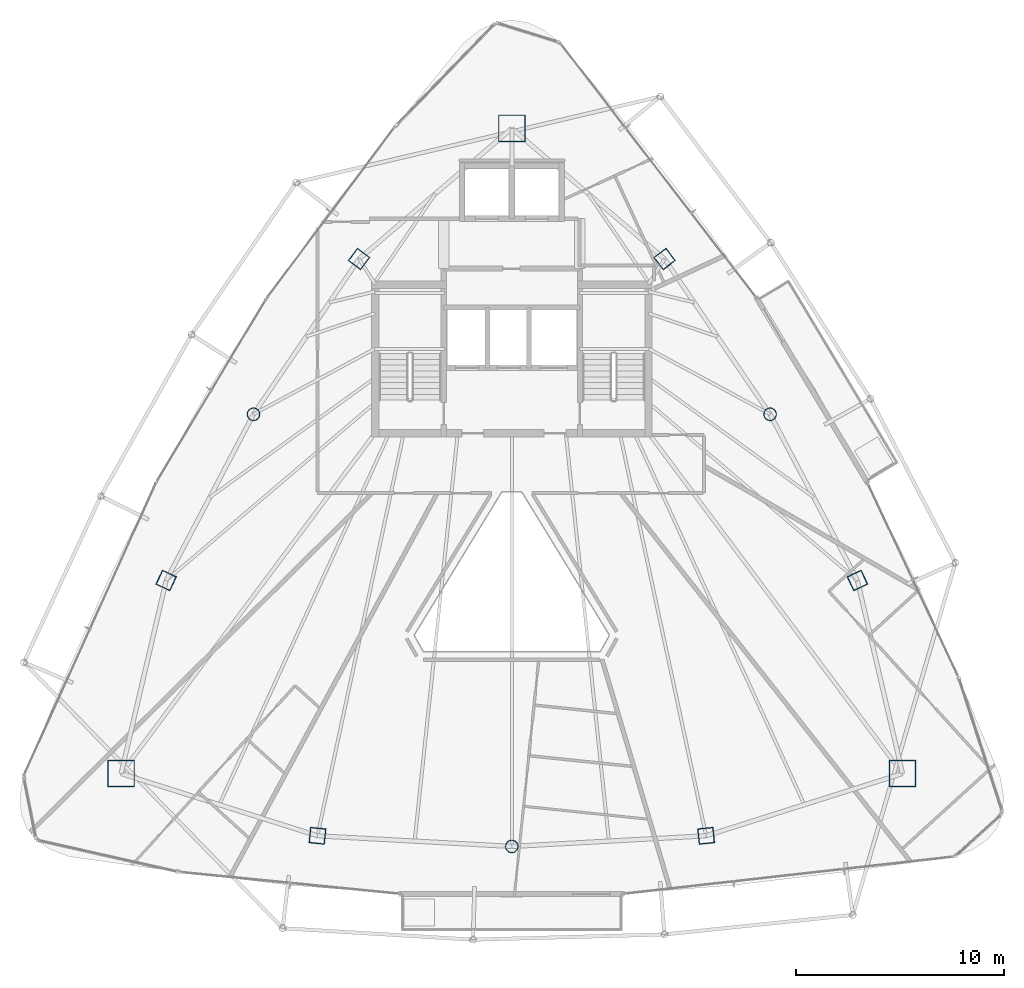
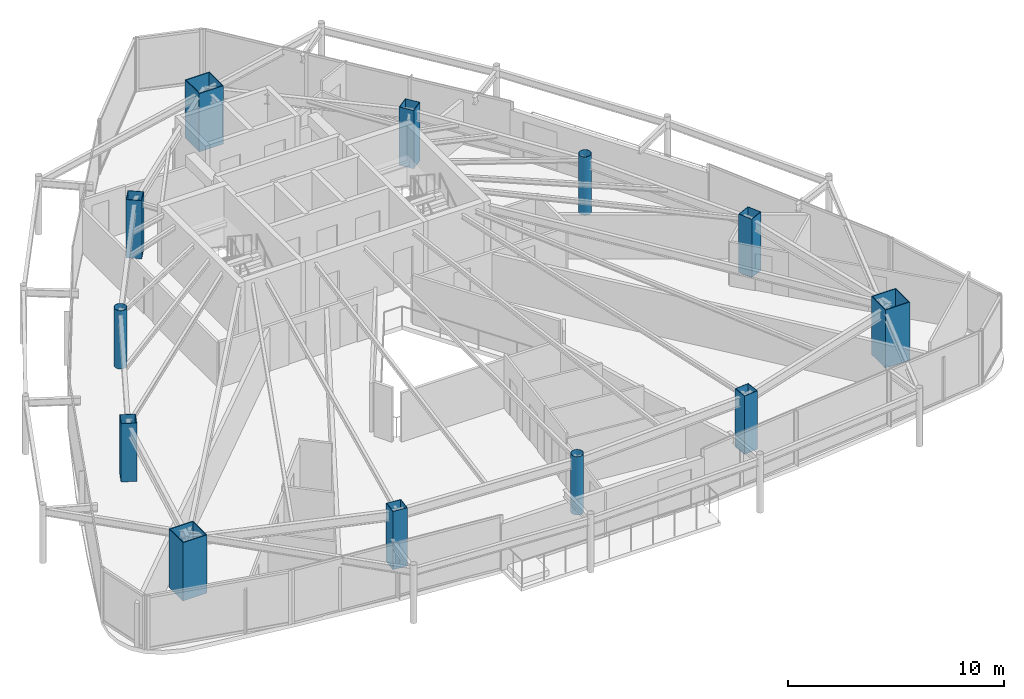
# One storey, part 1 of 33: 12 columns.
"""IFC4 building model written with IfcOpenShell, lengths in metres."""

from ifc_helpers import new_model, si_unit, direction, frame, origin, origin_2d, place, context, subcontext, project, spatial, hollow_rectangle, hollow_circle, extrude, material, material_profile, profile_set, type_object, element, save


model = new_model("IFC4")

# Units and contexts
model_context = context("Model", 3, precision=1e-05, world=origin(), true_north=direction((0.0, 1.0)))
body_context = subcontext(model_context, "Body", "Model", "MODEL_VIEW")
ifc_project = project(units=[si_unit("LENGTHUNIT", "METRE"), si_unit("AREAUNIT", "SQUARE_METRE"), si_unit("VOLUMEUNIT", "CUBIC_METRE"), si_unit("PLANEANGLEUNIT", "RADIAN"), si_unit("MASSUNIT", "GRAM", prefix="KILO")], contexts=[model_context])

# Site, building, storey
site_placement = place(None, origin())
site = spatial("IfcSite", under=ifc_project, at=site_placement, CompositionType="ELEMENT")
building_placement = place(site_placement, origin())
building = spatial("IfcBuilding", under=site, at=building_placement, Name="Orvanel Arch Residences", CompositionType="ELEMENT")
storey_placement = place(building_placement, frame((0.0, 0.0, 196.39990234375)))
storey = spatial("IfcBuildingStorey", under=building, at=storey_placement, Name="L55", CompositionType="ELEMENT", Elevation=196.39990234375)

# Columns
ifc_material_1 = material(Name="Structural steel AS/NZS 1163 C350L0 (Grade 350)", Category="steel")
ifc_material_profile_1 = material_profile(ifc_material_1, hollow_circle(Radius=0.304931640625, WallThickness=0.01611328125, at=origin_2d()), Name="CHS610x16")
ifc_profile_set_1 = profile_set([ifc_material_profile_1], Name="Structural steel AS/NZS 1163 C350L0 (Grade 350)")
column_type_1 = type_object("IfcColumnType", Name="CC-610", PredefinedType="COLUMN", material=ifc_profile_set_1)
for number, where, z_axis, x_axis, name in (
    (1, (20.569091796875, 27.64111328125, 0.0), (0.0, 0.0, 1.0), (1.0, 0.0, 0.0), "L55 High-Rise Tube Column 02"),
    (2, (33.0, 6.843994140625, 0.0), (0.0, 0.0, 1.0), (1.0, 0.0, 0.0), "L55 High-Rise Tube Column 05"),
    (3, (45.430908203125, 27.64111328125, 0.0), (0.0, 0.0, 1.0), (1.0, 0.0, 0.0), "L55 High-Rise Tube Column 08"),
):
    element("IfcColumn", number, at=place(storey_placement, frame(where, z_axis=z_axis, x_axis=x_axis)), inside=storey, type_object=column_type_1, Name=name, PredefinedType="COLUMN", context=body_context, shape_type="SweptSolid", body=[
        extrude(hollow_circle(Radius=0.304931640625, WallThickness=0.01611328125, at=origin_2d()), origin(), (0.0, 0.0, 1.0), 3.300048828125),
    ])
ifc_material_2 = material(Name="Structural steel AS/NZS 3678 Grade 450", Category="steel")
ifc_material_profile_2 = material_profile(ifc_material_2, hollow_rectangle(XDim=1.300048828125, YDim=1.300048828125, WallThickness=0.0400390625, at=origin_2d()), Name="BOX1300x1300x40")
ifc_profile_set_2 = profile_set([ifc_material_profile_2], Name="Structural steel AS/NZS 3678 Grade 450")
column_type_2 = type_object("IfcColumnType", Name="MC-1300", PredefinedType="COLUMN", material=ifc_profile_set_2)
for number, where, z_axis, x_axis, name in (
    (4, (33.0, 41.39794921875, 0.0), (0.0, 0.0, 1.0), (1.0, 0.0, 0.0), "L55 Corner Mega-Column 1"),
    (5, (14.198974609375, 10.35107421875, 0.0), (0.0, 0.0, 1.0), (1.0, 0.0, 0.0), "L55 Corner Mega-Column 2"),
    (6, (51.801025390625, 10.35107421875, 0.0), (0.0, 0.0, 1.0), (1.0, 0.0, 0.0), "L55 Corner Mega-Column 3"),
):
    element("IfcColumn", number, at=place(storey_placement, frame(where, z_axis=z_axis, x_axis=x_axis)), inside=storey, type_object=column_type_2, Name=name, PredefinedType="COLUMN", context=body_context, shape_type="SweptSolid", body=[
        extrude(hollow_rectangle(XDim=1.300048828125, YDim=1.300048828125, WallThickness=0.0400390625, at=origin_2d()), origin(), (0.0, 0.0, 1.0), 3.300048828125),
    ])
ifc_material_3 = material(Name="Structural steel AS/NZS 3678 Grade 350", Category="steel")
ifc_material_profile_3 = material_profile(ifc_material_3, hollow_rectangle(XDim=0.75, YDim=0.75, WallThickness=0.02490234375, at=origin_2d()), Name="BOX750x750x25")
ifc_profile_set_3 = profile_set([ifc_material_profile_3], Name="Structural steel AS/NZS 3678 Grade 350")
column_type_3 = type_object("IfcColumnType", Name="TC-750", PredefinedType="COLUMN", material=ifc_profile_set_3)
for number, where, z_axis, x_axis, name in (
    (7, (25.64794921875, 35.113037109375, 0.0), (0.0, 0.0, 1.0), (0.600420225326, 0.799684658487, 0.0), "L55 High-Rise Tube Column 01"),
    (8, (16.366943359375, 19.64208984375, 0.0), (0.0, 0.0, 1.0), (0.422618261741, 0.906307787037, 0.0), "L55 High-Rise Tube Column 03"),
    (9, (23.64892578125, 7.35498046875, 0.0), (0.0, 0.0, 1.0), (-0.994880708829, 0.101056297183, 0.0), "L55 High-Rise Tube Column 04"),
    (10, (42.35107421875, 7.35498046875, 0.0), (0.0, 0.0, 1.0), (0.994880708829, 0.101056297183, 0.0), "L55 High-Rise Tube Column 06"),
    (11, (49.633056640625, 19.64208984375, 0.0), (0.0, 0.0, 1.0), (-0.422618261741, 0.906307787037, 0.0), "L55 High-Rise Tube Column 07"),
    (12, (40.35205078125, 35.113037109375, 0.0), (0.0, 0.0, 1.0), (-0.600420225326, 0.799684658487, 0.0), "L55 High-Rise Tube Column 09"),
):
    element("IfcColumn", number, at=place(storey_placement, frame(where, z_axis=z_axis, x_axis=x_axis)), inside=storey, type_object=column_type_3, Name=name, PredefinedType="COLUMN", context=body_context, shape_type="SweptSolid", body=[
        extrude(hollow_rectangle(XDim=0.75, YDim=0.75, WallThickness=0.02490234375, at=origin_2d()), origin(), (0.0, 0.0, 1.0), 3.300048828125),
    ])

save(model, "model.ifc")
